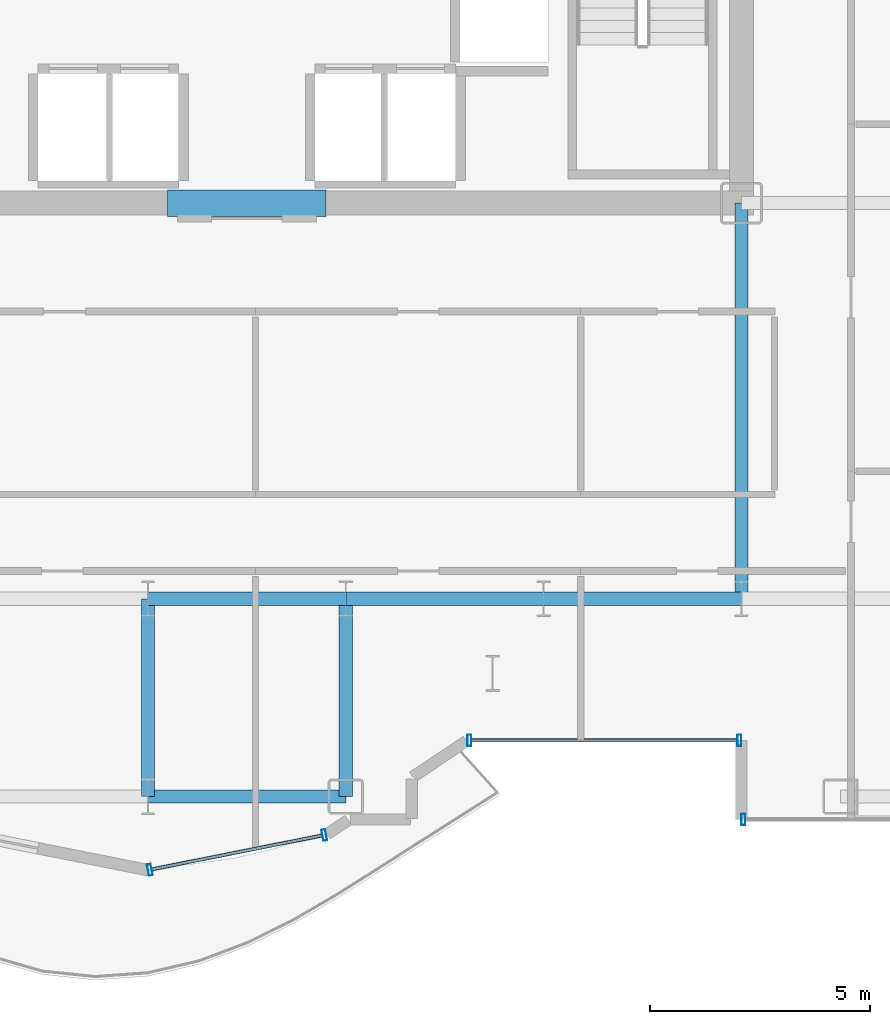
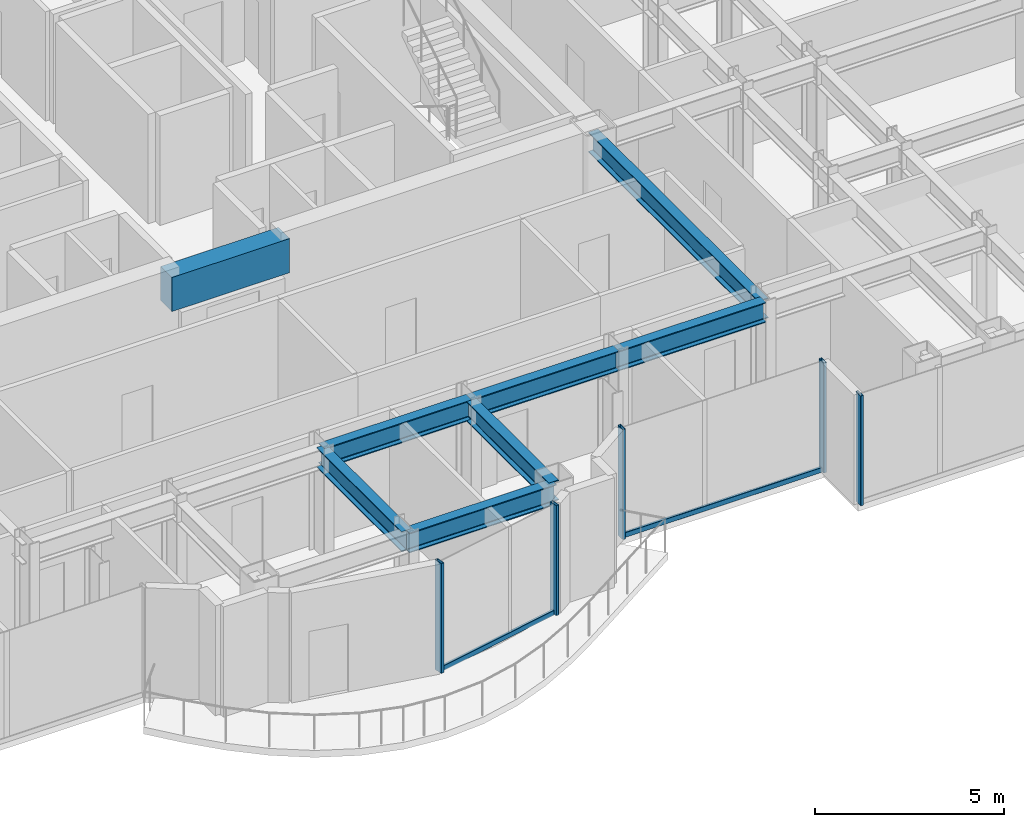
# One storey, part 7 of 23: 8 beams, 7 members, 3 elements without a shape of their own.
"""IFC4 building model written with IfcOpenShell, lengths in metres."""

from ifc_helpers import new_model, si_unit, direction, frame, origin, origin_2d, place, context, subcontext, project, spatial, rectangle, hollow_rectangle, i_section, extrude, source, transform, mapped, material, layer, layer_set, material_profile, profile_set, type_object, element, aggregate, save


model = new_model("IFC4")

# Units and contexts
model_context = context("Model", 3, precision=1e-05, world=origin(), true_north=direction((0.0, 1.0)))
body_context = subcontext(model_context, "Body", "Model", "MODEL_VIEW")
ifc_project = project(units=[si_unit("LENGTHUNIT", "METRE"), si_unit("AREAUNIT", "SQUARE_METRE"), si_unit("VOLUMEUNIT", "CUBIC_METRE"), si_unit("PLANEANGLEUNIT", "RADIAN"), si_unit("MASSUNIT", "GRAM", prefix="KILO")], contexts=[model_context])

# Site, building, storey
site_placement = place(None, origin())
site = spatial("IfcSite", under=ifc_project, at=site_placement, CompositionType="ELEMENT")
building_placement = place(site_placement, origin())
building = spatial("IfcBuilding", under=site, at=building_placement, Name="Nefas-Gora Pilgrimage Tower", CompositionType="ELEMENT")
storey_placement = place(building_placement, frame((0.0, 0.0, 164.0)))
storey = spatial("IfcBuildingStorey", under=building, at=storey_placement, Name="L40", CompositionType="ELEMENT", Elevation=164.0)

# Beams
ifc_material_1 = material(Name="Concrete C60/75", Category="concrete")
ifc_material_profile_1 = material_profile(ifc_material_1, rectangle(XDim=0.60009765625, YDim=1.10009765625, at=origin_2d()), Name="RC 600x1100")
ifc_profile_set_1 = profile_set([ifc_material_profile_1], Name="Concrete C60/75")
beam_type_1 = type_object("IfcBeamType", Name="BM-LIN-RC1100", PredefinedType="LINTEL", material=ifc_profile_set_1)
shared_shape_1 = source(origin(), body_context, "Body", "SweptSolid", [
    extrude(rectangle(XDim=0.60009765625, YDim=1.10009765625, at=origin_2d()), origin(), (0.0, 0.0, 1.0), 3.60009765625),
])
beam_1_placement = place(storey_placement, frame((-1.800048828125, -9.0, 3.0), z_axis=(1.0, 0.0, 0.0), x_axis=(0.0, 1.0, 0.0)))
element("IfcBeam", 1, at=beam_1_placement, inside=storey, type_object=beam_type_1, Name="L40 Core Coupling Lintel Beam S", PredefinedType="LINTEL", context=body_context, shape_type="MappedRepresentation", body=[
    mapped(shared_shape_1, transform((0.0, 0.0, 0.0), x_axis=(1.0, 0.0, 0.0), y_axis=(0.0, 1.0, 0.0), z_axis=(0.0, 0.0, 1.0), scale=1.0)),
])
ifc_material_2 = material(Name="Steel S355", Category="steel")
ifc_material_profile_2 = material_profile(ifc_material_2, i_section(OverallWidth=0.300048828125, OverallDepth=0.64990234375, WebThickness=0.01611328125, FlangeThickness=0.031005859375, FilletRadius=0.027099609375, at=origin_2d()), Name="HEB 650")
ifc_profile_set_2 = profile_set([ifc_material_profile_2], Name="Steel S355")
beam_type_2 = type_object("IfcBeamType", Name="BM-GIR-HEB650", PredefinedType="BEAM", material=ifc_profile_set_2)
shared_shape_2 = source(origin(), body_context, "Body", "SweptSolid", [
    extrude(i_section(OverallWidth=0.300048828125, OverallDepth=0.64990234375, WebThickness=0.01611328125, FlangeThickness=0.031005859375, FilletRadius=0.027099609375, at=origin_2d()), origin(), (0.0, 0.0, 1.0), 9.0),
])
beam_2_placement = place(storey_placement, frame((11.25, -18.0, 3.22509765625), z_axis=(0.0, 1.0, 0.0), x_axis=(-1.0, 0.0, 0.0)))
element("IfcBeam", 2, at=beam_2_placement, inside=storey, type_object=beam_type_2, Name="L40 G-03 beam", PredefinedType="BEAM", context=body_context, shape_type="MappedRepresentation", body=[
    mapped(shared_shape_2, transform((0.0, 0.0, 0.0), x_axis=(1.0, 0.0, 0.0), y_axis=(0.0, 1.0, 0.0), z_axis=(0.0, 0.0, 1.0), scale=1.0)),
])
shared_shape_3 = source(origin(), body_context, "Body", "SweptSolid", [
    extrude(i_section(OverallWidth=0.300048828125, OverallDepth=0.64990234375, WebThickness=0.01611328125, FlangeThickness=0.031005859375, FilletRadius=0.027099609375, at=origin_2d()), origin(), (0.0, 0.0, 1.0), 4.5),
])
for number, where, z_axis, x_axis, name in (
    (3, (-2.25, -22.5, 3.22509765625), (0.0, 1.0, 0.0), (-1.0, 0.0, 0.0), "L40 G-03 beam"),
    (4, (-2.25, -22.5, 3.22509765625), (1.0, 0.0, 0.0), (0.0, 1.0, 0.0), "L40 G-03 beam"),
    (5, (-2.25, -18.0, 3.22509765625), (1.0, 0.0, 0.0), (0.0, 1.0, 0.0), "L40 G-03 beam"),
    (6, (2.25, -22.5, 3.22509765625), (0.0, 1.0, 0.0), (-1.0, 0.0, 0.0), "L40 G-03 beam"),
    (7, (2.25, -18.0, 3.22509765625), (1.0, 0.0, 0.0), (0.0, 1.0, 0.0), "L40 G-03 beam"),
    (8, (6.75, -18.0, 3.22509765625), (1.0, 0.0, 0.0), (0.0, 1.0, 0.0), "L40 G-03 beam"),
):
    element("IfcBeam", number, at=place(storey_placement, frame(where, z_axis=z_axis, x_axis=x_axis)), inside=storey, type_object=beam_type_2, Name=name, PredefinedType="BEAM", context=body_context, shape_type="MappedRepresentation", body=[
        mapped(shared_shape_3, transform((0.0, 0.0, 0.0), x_axis=(1.0, 0.0, 0.0), y_axis=(0.0, 1.0, 0.0), z_axis=(0.0, 0.0, 1.0), scale=1.0)),
    ])

# Curtain wall, members
ifc_material_3 = material(Name="Dark ceramic-fritted solar-control aluminium-glass curtain wall", Category="aluminium")
ifc_layer_1 = layer(ifc_material_3, 0.219970703125)
ifc_layer_set_1 = layer_set([ifc_layer_1], Name="Dark ceramic-fritted solar-control aluminium-glass curtain wall")
curtain_wall_type_1 = type_object("IfcCurtainWallType", Name="CW-SYS-5", PredefinedType="NOTDEFINED", material=ifc_layer_set_1)
curtain_wall_1_placement = place(storey_placement, origin())
curtain_wall_1 = element("IfcCurtainWall", 9, at=curtain_wall_1_placement, inside=storey, type_object=curtain_wall_type_1, Name="L40 Unitised Curtain Wall CW5", PredefinedType="NOTDEFINED")
ifc_material_4 = material(Name="Anodised architectural aluminium", Category="aluminium")
ifc_material_profile_3 = material_profile(ifc_material_4, hollow_rectangle(XDim=0.090087890625, YDim=0.260009765625, WallThickness=0.006103515625, InnerFilletRadius=0.006103515625, OuterFilletRadius=0.011962890625, at=origin_2d()), Name="ALU MULLION 90x260")
ifc_profile_set_3 = profile_set([ifc_material_profile_3], Name="Anodised architectural aluminium")
member_type_1 = type_object("IfcMemberType", Name="CWM-MUL-5", PredefinedType="MULLION", material=ifc_profile_set_3)
shared_shape_4 = source(origin(), body_context, "Body", "SweptSolid", [
    extrude(hollow_rectangle(XDim=0.090087890625, YDim=0.260009765625, WallThickness=0.006103515625, InnerFilletRadius=0.006103515625, OuterFilletRadius=0.011962890625, at=origin_2d()), origin(), (0.0, 0.0, 1.0), 3.550048828125),
])
member_1_placement = place(storey_placement, frame((5.06298828125, -21.219970703125, 0.0), z_axis=(0.0, 0.0, 1.0), x_axis=(1.0, 0.0, 0.0)))
member_1 = element("IfcMember", 10, at=member_1_placement, type_object=member_type_1, Name="CW5 Mullion 1", PredefinedType="MULLION", context=body_context, shape_type="MappedRepresentation", body=[
    mapped(shared_shape_4, transform((0.0, 0.0, 0.0), x_axis=(1.0, 0.0, 0.0), y_axis=(0.0, 1.0, 0.0), z_axis=(0.0, 0.0, 1.0), scale=1.0)),
])
member_2_placement = place(storey_placement, frame((11.205078125, -21.219970703125, 0.0), z_axis=(0.0, 0.0, 1.0), x_axis=(1.0, 0.0, 0.0)))
member_2 = element("IfcMember", 11, at=member_2_placement, type_object=member_type_1, Name="CW5 Mullion 2", PredefinedType="MULLION", context=body_context, shape_type="MappedRepresentation", body=[
    mapped(shared_shape_4, transform((0.0, 0.0, 0.0), x_axis=(1.0, 0.0, 0.0), y_axis=(0.0, 1.0, 0.0), z_axis=(0.0, 0.0, 1.0), scale=1.0)),
])

curtain_wall_2_placement = place(storey_placement, origin())
curtain_wall_2 = element("IfcCurtainWall", 12, at=curtain_wall_2_placement, inside=storey, type_object=curtain_wall_type_1, Name="L40 Unitised Curtain Wall CW5", PredefinedType="NOTDEFINED")
member_3_placement = place(storey_placement, frame((-2.205810546875, -24.16357421875, 0.0), z_axis=(0.0, 0.0, 1.0), x_axis=(0.980782896852, 0.195102304554, 0.0)))
member_3 = element("IfcMember", 13, at=member_3_placement, type_object=member_type_1, Name="CW5 Mullion 1", PredefinedType="MULLION", context=body_context, shape_type="MappedRepresentation", body=[
    mapped(shared_shape_4, transform((0.0, 0.0, 0.0), x_axis=(1.0, 0.0, 0.0), y_axis=(0.0, 1.0, 0.0), z_axis=(0.0, 0.0, 1.0), scale=1.0)),
])
member_4_placement = place(storey_placement, frame((1.76318359375, -23.3740234375, 0.0), z_axis=(0.0, 0.0, 1.0), x_axis=(0.980782896852, 0.195102304554, 0.0)))
member_4 = element("IfcMember", 14, at=member_4_placement, type_object=member_type_1, Name="CW5 Mullion 2", PredefinedType="MULLION", context=body_context, shape_type="MappedRepresentation", body=[
    mapped(shared_shape_4, transform((0.0, 0.0, 0.0), x_axis=(1.0, 0.0, 0.0), y_axis=(0.0, 1.0, 0.0), z_axis=(0.0, 0.0, 1.0), scale=1.0)),
])

# Member
ifc_material_profile_4 = material_profile(ifc_material_4, hollow_rectangle(XDim=0.080078125, YDim=0.159912109375, WallThickness=0.00439453125, InnerFilletRadius=0.00439453125, OuterFilletRadius=0.009033203125, at=origin_2d()), Name="ALU TRANSOM 80x160")
ifc_profile_set_4 = profile_set([ifc_material_profile_4], Name="Anodised architectural aluminium")
member_type_2 = type_object("IfcMemberType", Name="CWM-TRN-5", PredefinedType="USERDEFINED", material=ifc_profile_set_4)
shared_shape_5 = source(origin(), body_context, "Body", "SweptSolid", [
    extrude(hollow_rectangle(XDim=0.080078125, YDim=0.159912109375, WallThickness=0.00439453125, InnerFilletRadius=0.00439453125, OuterFilletRadius=0.009033203125, at=origin_2d()), origin(), (0.0, 0.0, 1.0), 6.052001953125),
])
member_5_placement = place(storey_placement, frame((5.10791015625, -21.219970703125, 0.050048828125), z_axis=(1.0, 0.0, 0.0), x_axis=(0.0, 1.0, 0.0)))
member_5 = element("IfcMember", 15, at=member_5_placement, type_object=member_type_2, Name="CW5 Spandrel Transom", ObjectType="TRANSOM", PredefinedType="USERDEFINED", context=body_context, shape_type="MappedRepresentation", body=[
    mapped(shared_shape_5, transform((0.0, 0.0, 0.0), x_axis=(1.0, 0.0, 0.0), y_axis=(0.0, 1.0, 0.0), z_axis=(0.0, 0.0, 1.0), scale=1.0)),
])

aggregate(curtain_wall_1, [member_1, member_2, member_5])

shared_shape_6 = source(origin(), body_context, "Body", "SweptSolid", [
    extrude(hollow_rectangle(XDim=0.080078125, YDim=0.159912109375, WallThickness=0.00439453125, InnerFilletRadius=0.00439453125, OuterFilletRadius=0.009033203125, at=origin_2d()), origin(), (0.0, 0.0, 1.0), 3.95654296875),
])
member_6_placement = place(storey_placement, frame((-2.16162109375, -24.15478515625, 0.050048828125), z_axis=(0.980781880918, 0.195107411605, 0.0), x_axis=(-0.195107411605, 0.980781880918, 0.0)))
member_6 = element("IfcMember", 16, at=member_6_placement, type_object=member_type_2, Name="CW5 Spandrel Transom", ObjectType="TRANSOM", PredefinedType="USERDEFINED", context=body_context, shape_type="MappedRepresentation", body=[
    mapped(shared_shape_6, transform((0.0, 0.0, 0.0), x_axis=(1.0, 0.0, 0.0), y_axis=(0.0, 1.0, 0.0), z_axis=(0.0, 0.0, 1.0), scale=1.0)),
])

aggregate(curtain_wall_2, [member_3, member_4, member_6])

# Curtain wall, member
ifc_layer_2 = layer(ifc_material_3, 0.219970703125)
ifc_layer_set_2 = layer_set([ifc_layer_2], Name="Dark ceramic-fritted solar-control aluminium-glass curtain wall")
curtain_wall_type_2 = type_object("IfcCurtainWallType", Name="CW-SYS-3", PredefinedType="NOTDEFINED", material=ifc_layer_set_2)
curtain_wall_3_placement = place(storey_placement, origin())
curtain_wall_3 = element("IfcCurtainWall", 17, at=curtain_wall_3_placement, inside=storey, type_object=curtain_wall_type_2, Name="L40 Unitised Curtain Wall CW3", PredefinedType="NOTDEFINED")
ifc_material_profile_5 = material_profile(ifc_material_4, hollow_rectangle(XDim=0.090087890625, YDim=0.260009765625, WallThickness=0.006103515625, InnerFilletRadius=0.006103515625, OuterFilletRadius=0.011962890625, at=origin_2d()), Name="ALU MULLION 90x260")
ifc_profile_set_5 = profile_set([ifc_material_profile_5], Name="Anodised architectural aluminium")
member_type_3 = type_object("IfcMemberType", Name="CWM-MUL-3", PredefinedType="MULLION", material=ifc_profile_set_5)
shared_shape_7 = source(origin(), body_context, "Body", "SweptSolid", [
    extrude(hollow_rectangle(XDim=0.090087890625, YDim=0.260009765625, WallThickness=0.006103515625, InnerFilletRadius=0.006103515625, OuterFilletRadius=0.011962890625, at=origin_2d()), origin(), (0.0, 0.0, 1.0), 3.550048828125),
])
member_7_placement = place(storey_placement, frame((11.294921875, -23.02001953125, 0.0), z_axis=(0.0, 0.0, 1.0), x_axis=(1.0, 0.0, 0.0)))
member_7 = element("IfcMember", 18, at=member_7_placement, type_object=member_type_3, Name="CW3 Mullion 1", PredefinedType="MULLION", context=body_context, shape_type="MappedRepresentation", body=[
    mapped(shared_shape_7, transform((0.0, 0.0, 0.0), x_axis=(1.0, 0.0, 0.0), y_axis=(0.0, 1.0, 0.0), z_axis=(0.0, 0.0, 1.0), scale=1.0)),
])
aggregate(curtain_wall_3, [member_7])

save(model, "model.ifc")
